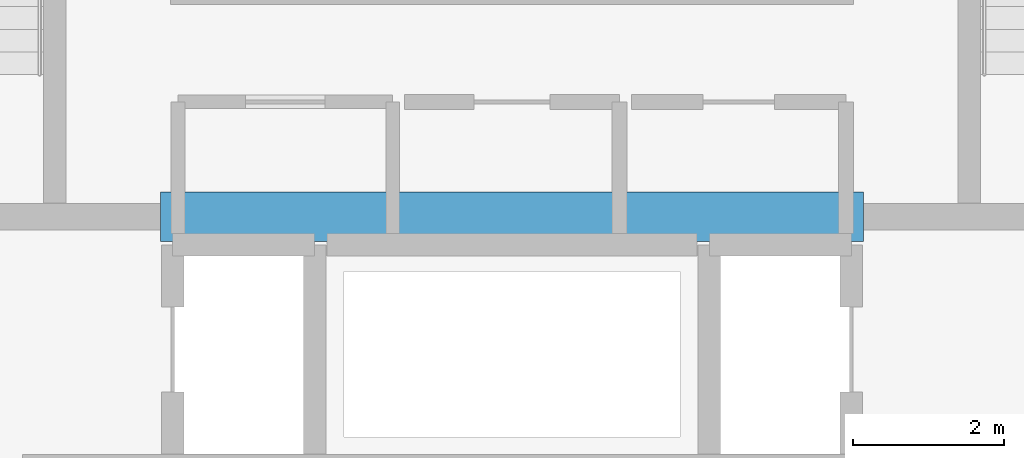
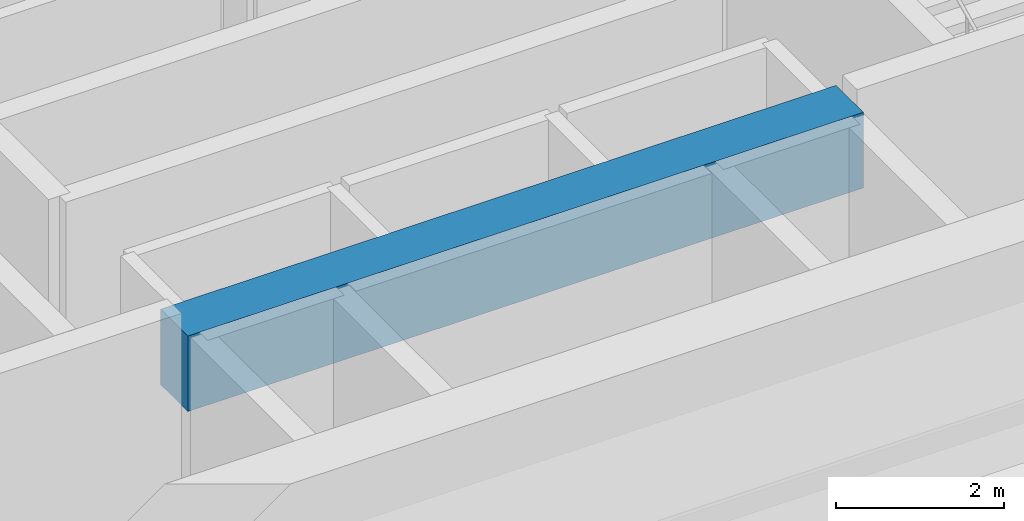
# One storey, part 8 of 34: 1 beam.
"""IFC4 building model written with IfcOpenShell, lengths in metres."""

from ifc_helpers import new_model, si_unit, direction, frame, origin, origin_2d, place, context, subcontext, project, spatial, rectangle, extrude, material, material_profile, profile_set, type_object, element, save


model = new_model("IFC4")

# Units and contexts
model_context = context("Model", 3, precision=1e-05, world=origin(), true_north=direction((0.0, 1.0)))
body_context = subcontext(model_context, "Body", "Model", "MODEL_VIEW")
ifc_project = project(units=[si_unit("LENGTHUNIT", "METRE"), si_unit("AREAUNIT", "SQUARE_METRE"), si_unit("VOLUMEUNIT", "CUBIC_METRE"), si_unit("PLANEANGLEUNIT", "RADIAN"), si_unit("MASSUNIT", "GRAM", prefix="KILO")], contexts=[model_context])

# Site, building, storey
site_placement = place(None, origin())
site = spatial("IfcSite", under=ifc_project, at=site_placement, CompositionType="ELEMENT")
building_placement = place(site_placement, origin())
building = spatial("IfcBuilding", under=site, at=building_placement, Name="Punatoya Terracotta Tower", CompositionType="ELEMENT")
storey_placement = place(building_placement, frame((0.0, 0.0, 105.14990234375)))
storey = spatial("IfcBuildingStorey", under=building, at=storey_placement, Name="L24", CompositionType="ELEMENT", Elevation=105.14990234375)

# Beam
ifc_material = material(Name="Concrete C60/75", Category="concrete")
ifc_material_profile = material_profile(ifc_material, rectangle(XDim=0.64990234375, YDim=1.10009765625, at=origin_2d()))
ifc_profile_set = profile_set([ifc_material_profile], Name="Concrete C60/75")
beam_type = type_object("IfcBeamType", Name="BM-RC-1100", PredefinedType="LINTEL", material=ifc_profile_set)
beam_placement = place(storey_placement, frame((-4.64990234375, -5.679931640625, 3.260009765625), z_axis=(1.0, 0.0, 0.0), x_axis=(0.0, 1.0, 0.0)))
element("IfcBeam", 1, at=beam_placement, inside=storey, type_object=beam_type, Name="L24 Core Coupling Lintel CSW", PredefinedType="LINTEL", context=body_context, shape_type="SweptSolid", body=[
    extrude(rectangle(XDim=0.64990234375, YDim=1.10009765625, at=origin_2d()), origin(), (0.0, 0.0, 1.0), 9.2998046875),
])

save(model, "model.ifc")
